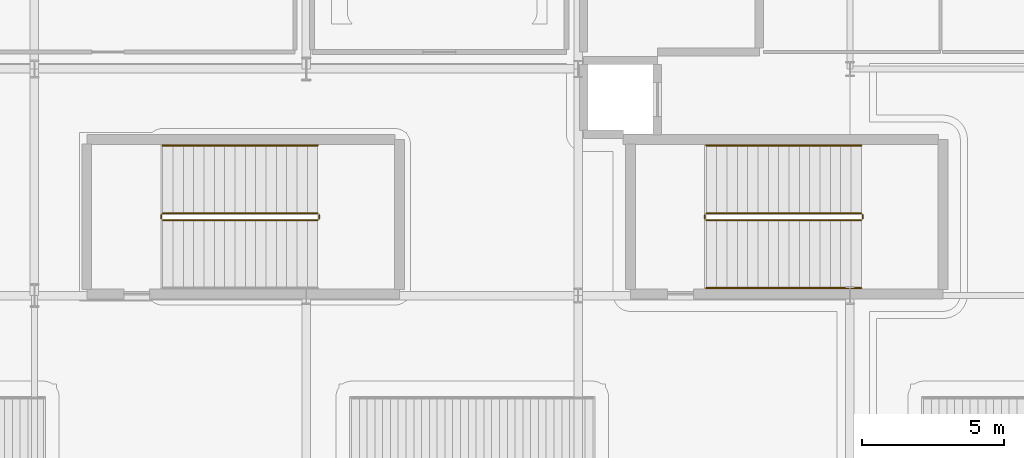
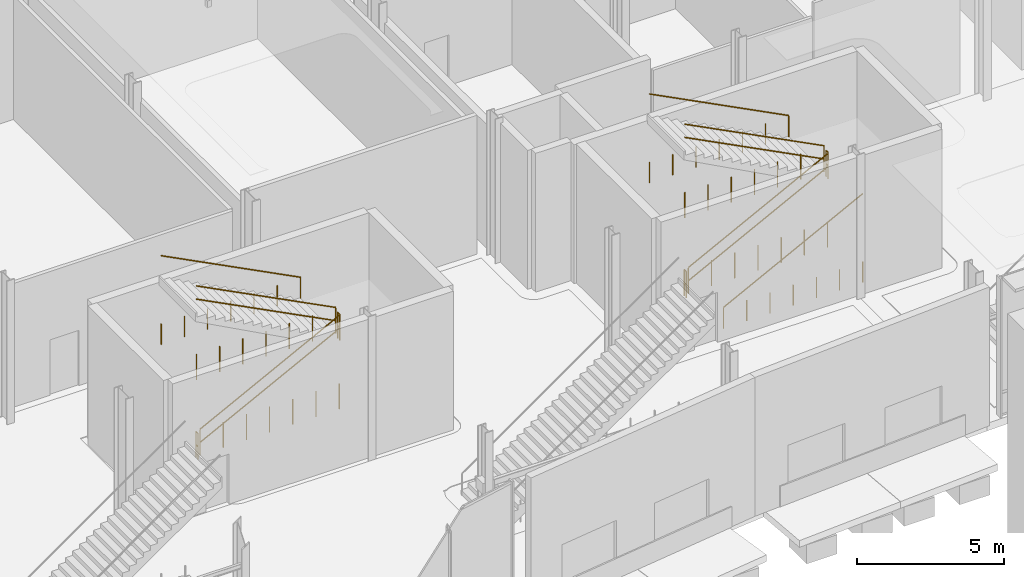
# One storey, part 104 of 124: 11 railings.
"""IFC4 building model written with IfcOpenShell, lengths in metres."""

from ifc_helpers import new_model, si_unit, direction, frame, origin, origin_2d, place, context, subcontext, project, spatial, circle, extrude, material, type_object, element, save


model = new_model("IFC4")

# Units and contexts
model_context = context("Model", 3, precision=1e-05, world=origin(), true_north=direction((0.0, 1.0)))
body_context = subcontext(model_context, "Body", "Model", "MODEL_VIEW")
ifc_project = project(units=[si_unit("LENGTHUNIT", "METRE"), si_unit("AREAUNIT", "SQUARE_METRE"), si_unit("VOLUMEUNIT", "CUBIC_METRE"), si_unit("PLANEANGLEUNIT", "RADIAN"), si_unit("MASSUNIT", "GRAM", prefix="KILO")], contexts=[model_context])

# Site, building, storey
site_placement = place(None, origin())
site = spatial("IfcSite", under=ifc_project, at=site_placement, CompositionType="ELEMENT")
building_placement = place(site_placement, origin())
building = spatial("IfcBuilding", under=site, at=building_placement, Name="Danafjord Basin Convention Centre", CompositionType="ELEMENT")
storey_placement = place(building_placement, origin())
storey = spatial("IfcBuildingStorey", under=building, at=storey_placement, Name="L00", CompositionType="ELEMENT", Elevation=0.0)

# Railings
ifc_material_1 = material(Name="Galvanised steel S355", Category="steel")
railing_type_1 = type_object("IfcRailingType", Name="RL-GD-WELL", PredefinedType="BALUSTRADE", material=ifc_material_1)
railing_1_placement = place(storey_placement, frame((52.530029296875, 18.659912109375, 0.1875)))
element("IfcRailing", 1, at=railing_1_placement, inside=storey, type_object=railing_type_1, Name="L00 ST-05 stair guard 1", PredefinedType="BALUSTRADE", context=body_context, shape_type="SweptSolid", body=[
    extrude(circle(Radius=0.02392578125, at=origin_2d()), frame((0.0, 0.0, 1.076171875), z_axis=(0.889495128042, 0.0, 0.456944654405), x_axis=(0.0, 1.0, 0.0)), (0.0, 0.0, 1.0), 6.155029296875),
    extrude(circle(Radius=0.02392578125, at=origin_2d()), frame((0.0, 0.0, 0.52587890625), z_axis=(0.889495128042, 0.0, 0.456944654405), x_axis=(0.0, 1.0, 0.0)), (0.0, 0.0, 1.0), 6.155029296875),
    extrude(circle(Radius=0.02099609375, at=origin_2d()), origin(), (0.0, 0.0, 1.0), 1.050048828125),
    extrude(circle(Radius=0.02099609375, at=origin_2d()), frame((0.91259765625, 0.0, 0.0)), (0.0, 0.0, 1.0), 1.050048828125),
    extrude(circle(Radius=0.02099609375, at=origin_2d()), frame((1.824951171875, 0.0, 0.0)), (0.0, 0.0, 1.0), 1.050048828125),
    extrude(circle(Radius=0.02099609375, at=origin_2d()), frame((2.7373046875, 0.0, 0.0)), (0.0, 0.0, 1.0), 1.050048828125),
    extrude(circle(Radius=0.02099609375, at=origin_2d()), frame((3.64990234375, 0.0, 0.0)), (0.0, 0.0, 1.0), 1.050048828125),
    extrude(circle(Radius=0.02099609375, at=origin_2d()), frame((4.5625, 0.0, 0.0)), (0.0, 0.0, 1.0), 1.050048828125),
    extrude(circle(Radius=0.02099609375, at=origin_2d()), frame((5.474853515625, 0.0, 0.0)), (0.0, 0.0, 1.0), 1.050048828125),
])
railing_2_placement = place(storey_placement, frame((58.054931640625, 18.7099609375, 3.0)))
element("IfcRailing", 2, at=railing_2_placement, inside=storey, type_object=railing_type_1, Name="L00 ST-05 stair guard 2", PredefinedType="BALUSTRADE", context=body_context, shape_type="SweptSolid", body=[
    extrude(circle(Radius=0.02392578125, at=origin_2d()), frame((0.0, 0.0, 1.076171875), z_axis=(0.0, 1.0, 0.0), x_axis=(-1.0, 0.0, 0.0)), (0.0, 0.0, 1.0), 0.14013671875),
    extrude(circle(Radius=0.02392578125, at=origin_2d()), frame((0.0, 0.0, 0.52587890625), z_axis=(0.0, 1.0, 0.0), x_axis=(-1.0, 0.0, 0.0)), (0.0, 0.0, 1.0), 0.14013671875),
    extrude(circle(Radius=0.02099609375, at=origin_2d()), origin(), (0.0, 0.0, 1.0), 1.050048828125),
    extrude(circle(Radius=0.02099609375, at=origin_2d()), frame((0.0, 0.14013671875, 0.0)), (0.0, 0.0, 1.0), 1.050048828125),
])
railing_3_placement = place(storey_placement, frame((58.0048828125, 18.89990234375, 3.1875)))
element("IfcRailing", 3, at=railing_3_placement, inside=storey, type_object=railing_type_1, Name="L00 ST-05 stair guard 3", PredefinedType="BALUSTRADE", context=body_context, shape_type="SweptSolid", body=[
    extrude(circle(Radius=0.02392578125, at=origin_2d()), frame((0.0, 0.0, 1.076171875), z_axis=(-0.889495128042, 0.0, 0.456944654405), x_axis=(0.0, -1.0, 0.0)), (0.0, 0.0, 1.0), 6.155029296875),
    extrude(circle(Radius=0.02392578125, at=origin_2d()), frame((0.0, 0.0, 0.52587890625), z_axis=(-0.889495128042, 0.0, 0.456944654405), x_axis=(0.0, -1.0, 0.0)), (0.0, 0.0, 1.0), 6.155029296875),
    extrude(circle(Radius=0.02099609375, at=origin_2d()), origin(), (0.0, 0.0, 1.0), 1.050048828125),
    extrude(circle(Radius=0.02099609375, at=origin_2d()), frame((-0.91259765625, 0.0, 0.0)), (0.0, 0.0, 1.0), 1.050048828125),
    extrude(circle(Radius=0.02099609375, at=origin_2d()), frame((-1.824951171875, 0.0, 0.0)), (0.0, 0.0, 1.0), 1.050048828125),
    extrude(circle(Radius=0.02099609375, at=origin_2d()), frame((-2.7373046875, 0.0, 0.0)), (0.0, 0.0, 1.0), 1.050048828125),
    extrude(circle(Radius=0.02099609375, at=origin_2d()), frame((-3.64990234375, 0.0, 0.0)), (0.0, 0.0, 1.0), 1.050048828125),
    extrude(circle(Radius=0.02099609375, at=origin_2d()), frame((-4.5625, 0.0, 0.0)), (0.0, 0.0, 1.0), 1.050048828125),
    extrude(circle(Radius=0.02099609375, at=origin_2d()), frame((-5.474853515625, 0.0, 0.0)), (0.0, 0.0, 1.0), 1.050048828125),
])
railing_4_placement = place(storey_placement, frame((52.47998046875, 18.7099609375, 0.0)))
element("IfcRailing", 4, at=railing_4_placement, inside=storey, type_object=railing_type_1, Name="L00 ST-05 stair guard 4", PredefinedType="BALUSTRADE", context=body_context, shape_type="SweptSolid", body=[
    extrude(circle(Radius=0.02392578125, at=origin_2d()), frame((0.0, 0.0, 1.076171875), z_axis=(0.0, 1.0, 0.0), x_axis=(-1.0, 0.0, 0.0)), (0.0, 0.0, 1.0), 0.14013671875),
    extrude(circle(Radius=0.02392578125, at=origin_2d()), frame((0.0, 0.0, 0.52587890625), z_axis=(0.0, 1.0, 0.0), x_axis=(-1.0, 0.0, 0.0)), (0.0, 0.0, 1.0), 0.14013671875),
    extrude(circle(Radius=0.02099609375, at=origin_2d()), origin(), (0.0, 0.0, 1.0), 1.050048828125),
    extrude(circle(Radius=0.02099609375, at=origin_2d()), frame((0.0, 0.14013671875, 0.0)), (0.0, 0.0, 1.0), 1.050048828125),
])
railing_5_placement = place(storey_placement, frame((33.330078125, 18.659912109375, 0.1875)))
element("IfcRailing", 5, at=railing_5_placement, inside=storey, type_object=railing_type_1, Name="L00 ST-02 stair guard 1", PredefinedType="BALUSTRADE", context=body_context, shape_type="SweptSolid", body=[
    extrude(circle(Radius=0.02392578125, at=origin_2d()), frame((0.0, 0.0, 1.076171875), z_axis=(0.889495128042, 0.0, 0.456944654405), x_axis=(0.0, 1.0, 0.0)), (0.0, 0.0, 1.0), 6.155029296875),
    extrude(circle(Radius=0.02392578125, at=origin_2d()), frame((0.0, 0.0, 0.52587890625), z_axis=(0.889495128042, 0.0, 0.456944654405), x_axis=(0.0, 1.0, 0.0)), (0.0, 0.0, 1.0), 6.155029296875),
    extrude(circle(Radius=0.02099609375, at=origin_2d()), origin(), (0.0, 0.0, 1.0), 1.050048828125),
    extrude(circle(Radius=0.02099609375, at=origin_2d()), frame((0.91259765625, 0.0, 0.0)), (0.0, 0.0, 1.0), 1.050048828125),
    extrude(circle(Radius=0.02099609375, at=origin_2d()), frame((1.824951171875, 0.0, 0.0)), (0.0, 0.0, 1.0), 1.050048828125),
    extrude(circle(Radius=0.02099609375, at=origin_2d()), frame((2.7373046875, 0.0, 0.0)), (0.0, 0.0, 1.0), 1.050048828125),
    extrude(circle(Radius=0.02099609375, at=origin_2d()), frame((3.64990234375, 0.0, 0.0)), (0.0, 0.0, 1.0), 1.050048828125),
    extrude(circle(Radius=0.02099609375, at=origin_2d()), frame((4.5625, 0.0, 0.0)), (0.0, 0.0, 1.0), 1.050048828125),
    extrude(circle(Radius=0.02099609375, at=origin_2d()), frame((5.474853515625, 0.0, 0.0)), (0.0, 0.0, 1.0), 1.050048828125),
])
railing_6_placement = place(storey_placement, frame((38.85498046875, 18.7099609375, 3.0)))
element("IfcRailing", 6, at=railing_6_placement, inside=storey, type_object=railing_type_1, Name="L00 ST-02 stair guard 2", PredefinedType="BALUSTRADE", context=body_context, shape_type="SweptSolid", body=[
    extrude(circle(Radius=0.02392578125, at=origin_2d()), frame((0.0, 0.0, 1.076171875), z_axis=(0.0, 1.0, 0.0), x_axis=(-1.0, 0.0, 0.0)), (0.0, 0.0, 1.0), 0.14013671875),
    extrude(circle(Radius=0.02392578125, at=origin_2d()), frame((0.0, 0.0, 0.52587890625), z_axis=(0.0, 1.0, 0.0), x_axis=(-1.0, 0.0, 0.0)), (0.0, 0.0, 1.0), 0.14013671875),
    extrude(circle(Radius=0.02099609375, at=origin_2d()), origin(), (0.0, 0.0, 1.0), 1.050048828125),
    extrude(circle(Radius=0.02099609375, at=origin_2d()), frame((0.0, 0.14013671875, 0.0)), (0.0, 0.0, 1.0), 1.050048828125),
])
railing_7_placement = place(storey_placement, frame((38.804931640625, 18.89990234375, 3.1875)))
element("IfcRailing", 7, at=railing_7_placement, inside=storey, type_object=railing_type_1, Name="L00 ST-02 stair guard 3", PredefinedType="BALUSTRADE", context=body_context, shape_type="SweptSolid", body=[
    extrude(circle(Radius=0.02392578125, at=origin_2d()), frame((0.0, 0.0, 1.076171875), z_axis=(-0.889495128042, 0.0, 0.456944654405), x_axis=(0.0, -1.0, 0.0)), (0.0, 0.0, 1.0), 6.155029296875),
    extrude(circle(Radius=0.02392578125, at=origin_2d()), frame((0.0, 0.0, 0.52587890625), z_axis=(-0.889495128042, 0.0, 0.456944654405), x_axis=(0.0, -1.0, 0.0)), (0.0, 0.0, 1.0), 6.155029296875),
    extrude(circle(Radius=0.02099609375, at=origin_2d()), origin(), (0.0, 0.0, 1.0), 1.050048828125),
    extrude(circle(Radius=0.02099609375, at=origin_2d()), frame((-0.91259765625, 0.0, 0.0)), (0.0, 0.0, 1.0), 1.050048828125),
    extrude(circle(Radius=0.02099609375, at=origin_2d()), frame((-1.824951171875, 0.0, 0.0)), (0.0, 0.0, 1.0), 1.050048828125),
    extrude(circle(Radius=0.02099609375, at=origin_2d()), frame((-2.7373046875, 0.0, 0.0)), (0.0, 0.0, 1.0), 1.050048828125),
    extrude(circle(Radius=0.02099609375, at=origin_2d()), frame((-3.64990234375, 0.0, 0.0)), (0.0, 0.0, 1.0), 1.050048828125),
    extrude(circle(Radius=0.02099609375, at=origin_2d()), frame((-4.5625, 0.0, 0.0)), (0.0, 0.0, 1.0), 1.050048828125),
    extrude(circle(Radius=0.02099609375, at=origin_2d()), frame((-5.474853515625, 0.0, 0.0)), (0.0, 0.0, 1.0), 1.050048828125),
])
railing_8_placement = place(storey_placement, frame((33.280029296875, 18.7099609375, 0.0)))
element("IfcRailing", 8, at=railing_8_placement, inside=storey, type_object=railing_type_1, Name="L00 ST-02 stair guard 4", PredefinedType="BALUSTRADE", context=body_context, shape_type="SweptSolid", body=[
    extrude(circle(Radius=0.02392578125, at=origin_2d()), frame((0.0, 0.0, 1.076171875), z_axis=(0.0, 1.0, 0.0), x_axis=(-1.0, 0.0, 0.0)), (0.0, 0.0, 1.0), 0.14013671875),
    extrude(circle(Radius=0.02392578125, at=origin_2d()), frame((0.0, 0.0, 0.52587890625), z_axis=(0.0, 1.0, 0.0), x_axis=(-1.0, 0.0, 0.0)), (0.0, 0.0, 1.0), 0.14013671875),
    extrude(circle(Radius=0.02099609375, at=origin_2d()), origin(), (0.0, 0.0, 1.0), 1.050048828125),
    extrude(circle(Radius=0.02099609375, at=origin_2d()), frame((0.0, 0.14013671875, 0.0)), (0.0, 0.0, 1.0), 1.050048828125),
])
ifc_material_2 = material(Name="Brushed stainless steel EN 1.4404", Category="steel")
railing_type_2 = type_object("IfcRailingType", Name="RL-HR-STAIR", PredefinedType="HANDRAIL", material=ifc_material_2)
railing_9_placement = place(storey_placement, frame((52.530029296875, 16.260009765625, 0.1875)))
element("IfcRailing", 9, at=railing_9_placement, inside=storey, type_object=railing_type_2, Name="L00 ST-05 stair handrail 1", PredefinedType="HANDRAIL", context=body_context, shape_type="SweptSolid", body=[
    extrude(circle(Radius=0.02392578125, at=origin_2d()), frame((0.0, 0.0, 0.8759765625), z_axis=(0.889495128042, 0.0, 0.456944654405), x_axis=(0.0, 1.0, 0.0)), (0.0, 0.0, 1.0), 6.155029296875),
    extrude(circle(Radius=0.02099609375, at=origin_2d()), origin(), (0.0, 0.0, 1.0), 0.849853515625),
    extrude(circle(Radius=0.02099609375, at=origin_2d()), frame((0.91259765625, 0.0, 0.0)), (0.0, 0.0, 1.0), 0.849853515625),
    extrude(circle(Radius=0.02099609375, at=origin_2d()), frame((1.824951171875, 0.0, 0.0)), (0.0, 0.0, 1.0), 0.849853515625),
    extrude(circle(Radius=0.02099609375, at=origin_2d()), frame((2.7373046875, 0.0, 0.0)), (0.0, 0.0, 1.0), 0.849853515625),
    extrude(circle(Radius=0.02099609375, at=origin_2d()), frame((3.64990234375, 0.0, 0.0)), (0.0, 0.0, 1.0), 0.849853515625),
    extrude(circle(Radius=0.02099609375, at=origin_2d()), frame((4.5625, 0.0, 0.0)), (0.0, 0.0, 1.0), 0.849853515625),
    extrude(circle(Radius=0.02099609375, at=origin_2d()), frame((5.474853515625, 0.0, 0.0)), (0.0, 0.0, 1.0), 0.849853515625),
])
for number, where, name in (
    (10, (58.0048828125, 21.300048828125, 3.1875), "L00 ST-05 stair handrail 2"),
    (11, (38.804931640625, 21.300048828125, 3.1875), "L00 ST-02 stair handrail 2"),
):
    element("IfcRailing", number, at=place(storey_placement, frame(where)), inside=storey, type_object=railing_type_2, Name=name, PredefinedType="HANDRAIL", context=body_context, shape_type="SweptSolid", body=[
        extrude(circle(Radius=0.02392578125, at=origin_2d()), frame((0.0, 0.0, 0.8759765625), z_axis=(-0.889495128042, 0.0, 0.456944654405), x_axis=(0.0, -1.0, 0.0)), (0.0, 0.0, 1.0), 6.155029296875),
        extrude(circle(Radius=0.02099609375, at=origin_2d()), origin(), (0.0, 0.0, 1.0), 0.849853515625),
        extrude(circle(Radius=0.02099609375, at=origin_2d()), frame((-0.91259765625, 0.0, 0.0)), (0.0, 0.0, 1.0), 0.849853515625),
        extrude(circle(Radius=0.02099609375, at=origin_2d()), frame((-1.824951171875, 0.0, 0.0)), (0.0, 0.0, 1.0), 0.849853515625),
        extrude(circle(Radius=0.02099609375, at=origin_2d()), frame((-2.7373046875, 0.0, 0.0)), (0.0, 0.0, 1.0), 0.849853515625),
        extrude(circle(Radius=0.02099609375, at=origin_2d()), frame((-3.64990234375, 0.0, 0.0)), (0.0, 0.0, 1.0), 0.849853515625),
        extrude(circle(Radius=0.02099609375, at=origin_2d()), frame((-4.5625, 0.0, 0.0)), (0.0, 0.0, 1.0), 0.849853515625),
        extrude(circle(Radius=0.02099609375, at=origin_2d()), frame((-5.474853515625, 0.0, 0.0)), (0.0, 0.0, 1.0), 0.849853515625),
    ])

save(model, "model.ifc")
